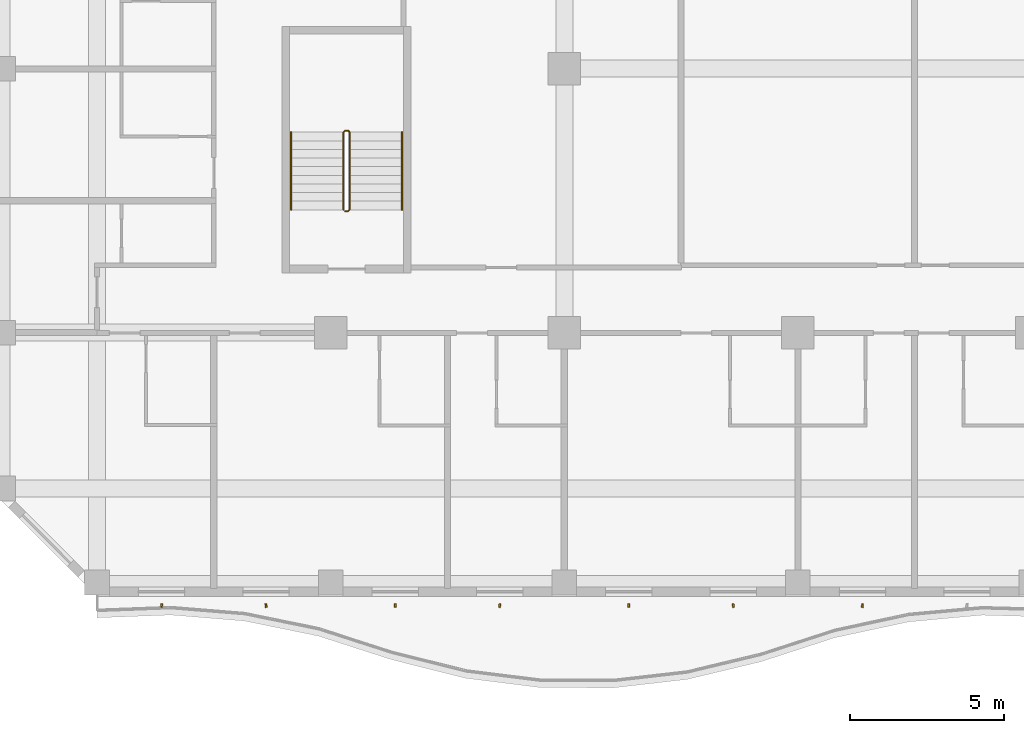
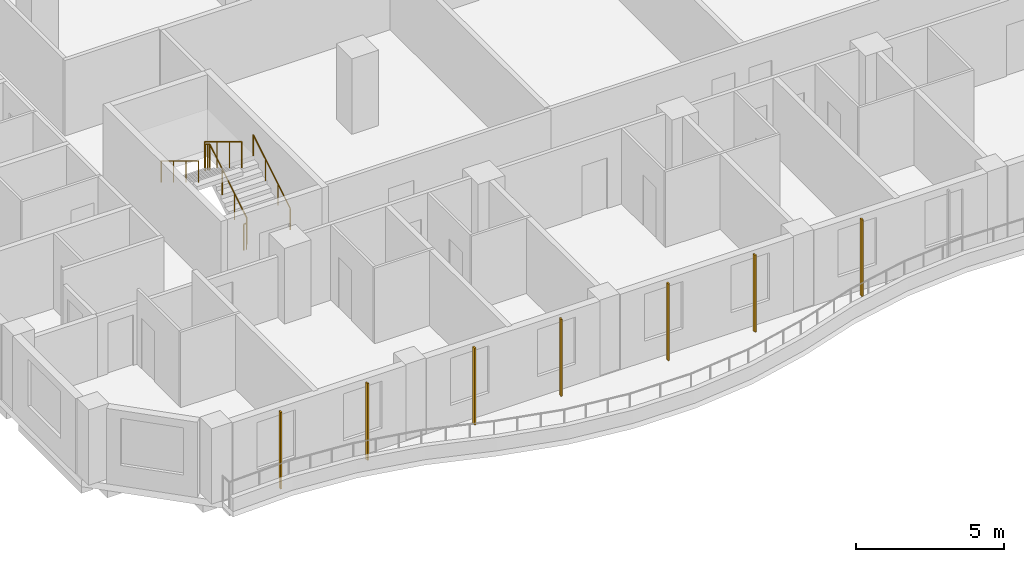
# One storey, part 14 of 21: 7 shading devices, 3 railings.
"""IFC4 building model written with IfcOpenShell, lengths in metres."""

from ifc_helpers import new_model, si_unit, direction, frame, origin, origin_2d, place, context, subcontext, project, spatial, rectangle, circle, extrude, source, transform, mapped, material, material_profile, profile_set, type_object, element, save


model = new_model("IFC4")

# Units and contexts
model_context = context("Model", 3, precision=1e-05, world=origin(), true_north=direction((0.0, 1.0)))
body_context = subcontext(model_context, "Body", "Model", "MODEL_VIEW")
ifc_project = project(units=[si_unit("LENGTHUNIT", "METRE"), si_unit("AREAUNIT", "SQUARE_METRE"), si_unit("VOLUMEUNIT", "CUBIC_METRE"), si_unit("PLANEANGLEUNIT", "RADIAN"), si_unit("MASSUNIT", "GRAM", prefix="KILO")], contexts=[model_context])

# Site, building, storey
site_placement = place(None, origin())
site = spatial("IfcSite", under=ifc_project, at=site_placement, CompositionType="ELEMENT")
building_placement = place(site_placement, origin())
building = spatial("IfcBuilding", under=site, at=building_placement, Name="Kilnfold Tower and Market Hall", CompositionType="ELEMENT")
storey_placement = place(building_placement, frame((0.0, 0.0, 182.10009765625)))
storey = spatial("IfcBuildingStorey", under=building, at=storey_placement, Name="L43", CompositionType="ELEMENT", Elevation=182.10009765625)

# Railings
ifc_material_1 = material(Name="Stainless steel 316", Category="steel")
railing_type_1 = type_object("IfcRailingType", Name="CORE STAIR GUARD 1100", PredefinedType="GUARDRAIL", material=ifc_material_1)
railing_1_placement = place(storey_placement, frame((-15.699951171875, -13.75, 0.0)))
element("IfcRailing", 1, at=railing_1_placement, inside=storey, type_object=railing_type_1, Name="L43 ST3 stair guard 1", PredefinedType="GUARDRAIL", context=body_context, shape_type="SweptSolid", body=[
    extrude(circle(Radius=0.02392578125, at=origin_2d()), frame((0.0, 0.0, 1.076171875), z_axis=(1.0, 0.0, 0.0), x_axis=(0.0, 1.0, 0.0)), (0.0, 0.0, 1.0), 0.099853515625),
    extrude(circle(Radius=0.02392578125, at=origin_2d()), frame((0.099853515625, 0.0, 1.076171875), z_axis=(0.271895245746, 0.271895245746, 0.923117517265), x_axis=(-0.707106781187, 0.707106781187, 0.0)), (0.0, 0.0, 1.0), 0.18408203125),
    extrude(circle(Radius=0.02392578125, at=origin_2d()), frame((0.14990234375, 0.050048828125, 1.24609375), z_axis=(0.0, 0.85478489116, 0.518982456201), x_axis=(-1.0, 0.0, 0.0)), (0.0, 0.0, 1.0), 2.9482421875),
    extrude(circle(Radius=0.02392578125, at=origin_2d()), frame((0.14990234375, 2.570068359375, 2.77587890625), z_axis=(-0.707106781187, 0.707106781187, 0.0), x_axis=(-0.707106781187, -0.707106781187, 0.0)), (0.0, 0.0, 1.0), 0.07080078125),
    extrude(circle(Radius=0.02392578125, at=origin_2d()), frame((0.099853515625, 2.6201171875, 2.77587890625), z_axis=(-1.0, 0.0, 0.0), x_axis=(0.0, -1.0, 0.0)), (0.0, 0.0, 1.0), 0.099853515625),
    extrude(circle(Radius=0.02392578125, at=origin_2d()), frame((0.0, 2.6201171875, 2.77587890625), z_axis=(-0.271895245746, -0.271895245746, 0.923117517265), x_axis=(0.707106781187, -0.707106781187, 0.0)), (0.0, 0.0, 1.0), 0.18408203125),
    extrude(circle(Radius=0.02392578125, at=origin_2d()), frame((-0.050048828125, 2.570068359375, 2.94580078125), z_axis=(0.0, -0.85478489116, 0.518982456201), x_axis=(1.0, 0.0, 0.0)), (0.0, 0.0, 1.0), 2.9482421875),
    extrude(circle(Radius=0.02099609375, at=origin_2d()), origin(), (0.0, 0.0, 1.0), 1.052001953125),
    extrude(circle(Radius=0.02099609375, at=origin_2d()), frame((0.099853515625, 0.0, 0.0)), (0.0, 0.0, 1.0), 1.052001953125),
    extrude(circle(Radius=0.02099609375, at=origin_2d()), frame((0.14990234375, 0.050048828125, 0.169921875)), (0.0, 0.0, 1.0), 1.052001953125),
    extrude(circle(Radius=0.02099609375, at=origin_2d()), frame((0.14990234375, 0.89013671875, 0.679931640625)), (0.0, 0.0, 1.0), 1.052001953125),
    extrude(circle(Radius=0.02099609375, at=origin_2d()), frame((0.14990234375, 1.72998046875, 1.18994140625)), (0.0, 0.0, 1.0), 1.052001953125),
    extrude(circle(Radius=0.02099609375, at=origin_2d()), frame((0.14990234375, 2.570068359375, 1.699951171875)), (0.0, 0.0, 1.0), 1.052001953125),
    extrude(circle(Radius=0.02099609375, at=origin_2d()), frame((0.099853515625, 2.6201171875, 1.699951171875)), (0.0, 0.0, 1.0), 1.052001953125),
    extrude(circle(Radius=0.02099609375, at=origin_2d()), frame((0.0, 2.6201171875, 1.699951171875)), (0.0, 0.0, 1.0), 1.052001953125),
    extrude(circle(Radius=0.02099609375, at=origin_2d()), frame((-0.050048828125, 2.570068359375, 1.869873046875)), (0.0, 0.0, 1.0), 1.052001953125),
    extrude(circle(Radius=0.02099609375, at=origin_2d()), frame((-0.050048828125, 1.72998046875, 2.3798828125)), (0.0, 0.0, 1.0), 1.052001953125),
    extrude(circle(Radius=0.02099609375, at=origin_2d()), frame((-0.050048828125, 0.89013671875, 2.889892578125)), (0.0, 0.0, 1.0), 1.052001953125),
    extrude(circle(Radius=0.02099609375, at=origin_2d()), frame((-0.050048828125, 0.050048828125, 3.39990234375)), (0.0, 0.0, 1.0), 1.052001953125),
])
ifc_material_2 = material(Name="Stainless steel 316", Category="steel")
railing_type_2 = type_object("IfcRailingType", Name="CORE STAIR HANDRAIL 900", PredefinedType="HANDRAIL", material=ifc_material_2)
railing_2_placement = place(storey_placement, frame((-13.85009765625, -13.699951171875, 0.169921875)))
element("IfcRailing", 2, at=railing_2_placement, inside=storey, type_object=railing_type_2, Name="L43 ST3 stair handrail 1", PredefinedType="HANDRAIL", context=body_context, shape_type="SweptSolid", body=[
    extrude(circle(Radius=0.02392578125, at=origin_2d()), frame((0.0, 0.0, 0.8759765625), z_axis=(0.0, 0.85478489116, 0.518982456201), x_axis=(-1.0, 0.0, 0.0)), (0.0, 0.0, 1.0), 2.9482421875),
    extrude(circle(Radius=0.02099609375, at=origin_2d()), origin(), (0.0, 0.0, 1.0), 0.851806640625),
    extrude(circle(Radius=0.02099609375, at=origin_2d()), frame((0.0, 0.840087890625, 0.510009765625)), (0.0, 0.0, 1.0), 0.851806640625),
    extrude(circle(Radius=0.02099609375, at=origin_2d()), frame((0.0, 1.679931640625, 1.02001953125)), (0.0, 0.0, 1.0), 0.851806640625),
    extrude(circle(Radius=0.02099609375, at=origin_2d()), frame((0.0, 2.52001953125, 1.530029296875)), (0.0, 0.0, 1.0), 0.851806640625),
])
railing_3_placement = place(storey_placement, frame((-17.449951171875, -11.179931640625, 1.869873046875)))
element("IfcRailing", 3, at=railing_3_placement, inside=storey, type_object=railing_type_2, Name="L43 ST3 stair handrail 2", PredefinedType="HANDRAIL", context=body_context, shape_type="SweptSolid", body=[
    extrude(circle(Radius=0.02392578125, at=origin_2d()), frame((0.0, 0.0, 0.8759765625), z_axis=(0.0, -0.85478489116, 0.518982456201), x_axis=(1.0, 0.0, 0.0)), (0.0, 0.0, 1.0), 2.9482421875),
    extrude(circle(Radius=0.02099609375, at=origin_2d()), origin(), (0.0, 0.0, 1.0), 0.851806640625),
    extrude(circle(Radius=0.02099609375, at=origin_2d()), frame((0.0, -0.840087890625, 0.510009765625)), (0.0, 0.0, 1.0), 0.851806640625),
    extrude(circle(Radius=0.02099609375, at=origin_2d()), frame((0.0, -1.679931640625, 1.02001953125)), (0.0, 0.0, 1.0), 0.851806640625),
    extrude(circle(Radius=0.02099609375, at=origin_2d()), frame((0.0, -2.52001953125, 1.530029296875)), (0.0, 0.0, 1.0), 0.851806640625),
])

# Shading devices
ifc_material_3 = material(Name="Terracotta", Category="masonry")
ifc_material_profile = material_profile(ifc_material_3, rectangle(XDim=0.06005859375, YDim=0.1201171875, at=origin_2d()), Name="BAG 60x120")
ifc_profile_set = profile_set([ifc_material_profile], Name="Terracotta")
shading_device_type = type_object("IfcShadingDeviceType", Name="BAGUETTE", PredefinedType="USERDEFINED", material=ifc_profile_set)
shared_shape = source(origin(), body_context, "Body", "SweptSolid", [
    extrude(rectangle(XDim=0.06005859375, YDim=0.1201171875, at=origin_2d()), origin(), (0.0, 0.0, 1.0), 3.179931640625),
])
for number, where, z_axis, x_axis, name in (
    (4, (-21.654296875, -26.550048828125, 0.0), (0.0, 0.0, 1.0), (0.998449520286, -0.055664669597, 0.0), "Terracotta baguette L43 S"),
    (5, (-18.2626953125, -26.550048828125, 0.0), (0.0, 0.0, 1.0), (0.992175178498, 0.12485357493, 0.0), "Terracotta baguette L43 S"),
    (6, (-14.07080078125, -26.550048828125, 0.0), (0.0, 0.0, 1.0), (0.999786673002, 0.020654502851, 0.0), "Terracotta baguette L43 S"),
    (7, (-10.67919921875, -26.550048828125, 0.0), (0.0, 0.0, 1.0), (0.990640705922, -0.136495391025, 0.0), "Terracotta baguette L43 S"),
    (8, (-6.4873046875, -26.550048828125, 0.0), (0.0, 0.0, 1.0), (0.99987531308, 0.015791082725, 0.0), "Terracotta baguette L43 S"),
    (9, (-3.095703125, -26.550048828125, 0.0), (0.0, 0.0, 1.0), (0.990308591459, 0.138884461633, 0.0), "Terracotta baguette L43 S"),
    (10, (1.095703125, -26.550048828125, 0.0), (0.0, 0.0, 1.0), (0.998691837589, -0.051133291819, 0.0), "Terracotta baguette L43 S"),
):
    element("IfcShadingDevice", number, at=place(storey_placement, frame(where, z_axis=z_axis, x_axis=x_axis)), inside=storey, type_object=shading_device_type, Name=name, ObjectType="BAGUETTE", PredefinedType="USERDEFINED", context=body_context, shape_type="MappedRepresentation", body=[
        mapped(shared_shape, transform((0.0, 0.0, 0.0))),
    ])

save(model, "model.ifc")
